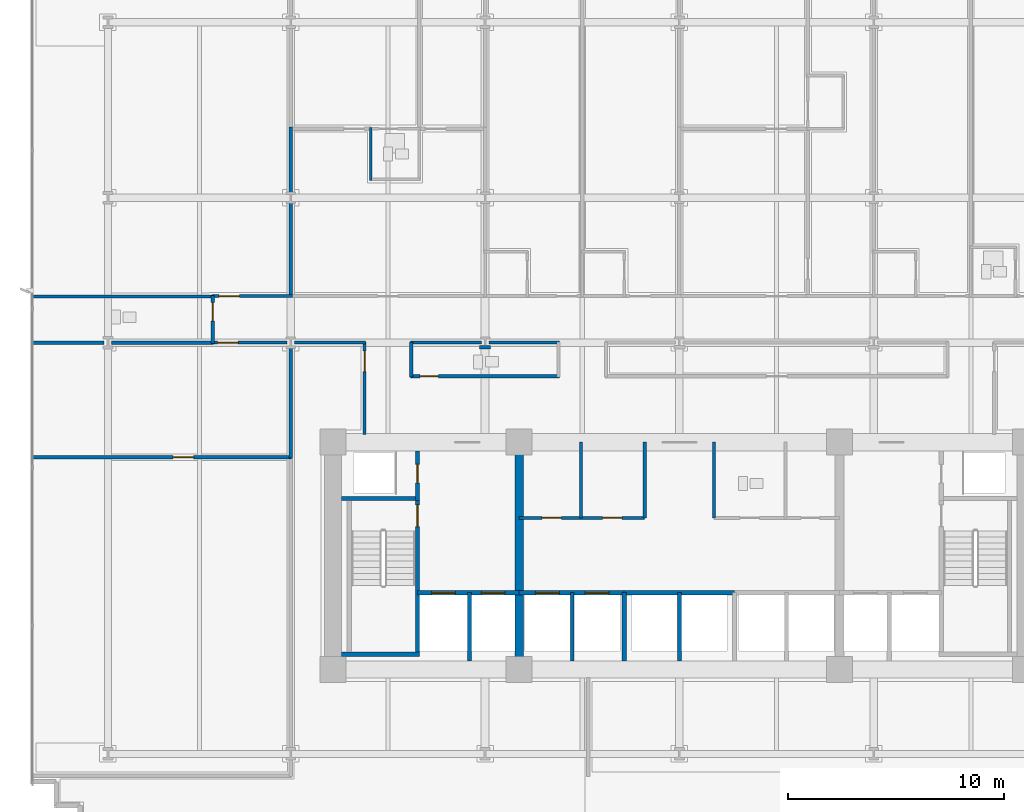
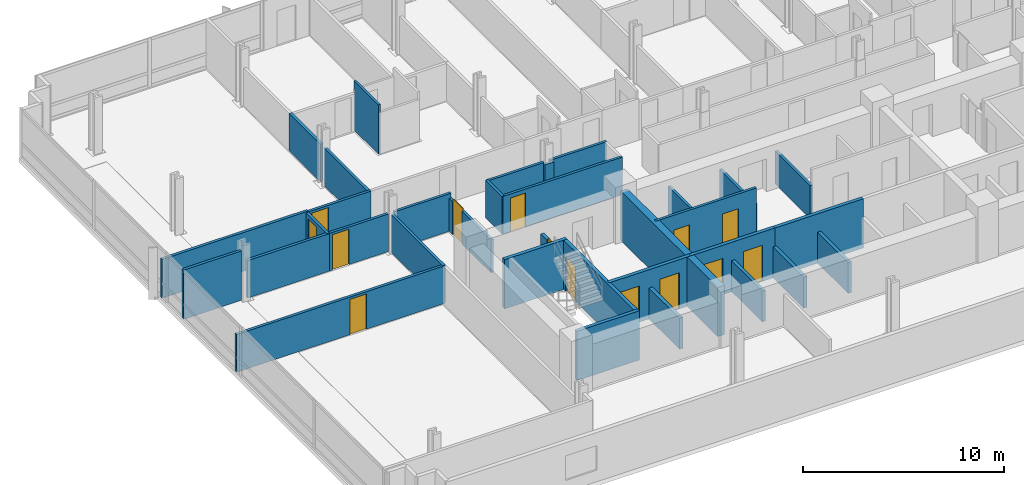
# One storey, part 8 of 15: 34 walls, 14 doors, 14 openings.
"""IFC4 building model written with IfcOpenShell, lengths in metres."""

from ifc_helpers import new_model, si_unit, direction, frame, frame_2d, origin, place, context, subcontext, project, spatial, rectangle, extrude, material, layer, layer_set, type_object, element, fill, save


model = new_model("IFC4")

# Units and contexts
model_context = context("Model", 3, precision=1e-05, world=origin(), true_north=direction((0.0, 1.0)))
body_context = subcontext(model_context, "Body", "Model", "MODEL_VIEW")
ifc_project = project(units=[si_unit("LENGTHUNIT", "METRE"), si_unit("AREAUNIT", "SQUARE_METRE"), si_unit("VOLUMEUNIT", "CUBIC_METRE"), si_unit("PLANEANGLEUNIT", "RADIAN"), si_unit("MASSUNIT", "GRAM", prefix="KILO")], contexts=[model_context])

# Site, building, storey
site_placement = place(None, origin())
site = spatial("IfcSite", under=ifc_project, at=site_placement, CompositionType="ELEMENT")
building_placement = place(site_placement, origin())
building = spatial("IfcBuilding", under=site, at=building_placement, Name="Solmavex Isthmus Hotel", CompositionType="ELEMENT")
storey_placement = place(building_placement, frame((0.0, 0.0, 71.25)))
storey = spatial("IfcBuildingStorey", under=building, at=storey_placement, Name="L19", CompositionType="ELEMENT", Elevation=71.25)

# Walls
ifc_material_1 = material(Name="Gypsum plasterboard lining", Category="gypsum")
ifc_layer_1 = layer(ifc_material_1, 0.159912109375)
ifc_layer_set_1 = layer_set([ifc_layer_1], Name="Gypsum plasterboard lining")
wall_type_1 = type_object("IfcWallType", Name="IW-COMP-160", PredefinedType="PARTITIONING", material=ifc_layer_set_1)
wall_1_placement = place(storey_placement, frame((-17.951904296875, 8.613037109375, 0.0), z_axis=(0.0, 0.0, 1.0), x_axis=(0.0, -1.0, 0.0)))
element("IfcWall", 1, at=wall_1_placement, inside=storey, type_object=wall_type_1, Name="Interior Partition Wall W-L19-P036", PredefinedType="PARTITIONING", context=body_context, shape_type="SweptSolid", body=[
    extrude(rectangle(XDim=4.403076171875, YDim=0.159912109375, at=frame_2d((2.20166015625, 0.0))), origin(), (0.0, 0.0, 1.0), 2.28955078125),
])
wall_2_placement = place(storey_placement, frame((-17.951904296875, 12.070068359375, 0.0), z_axis=(0.0, 0.0, 1.0), x_axis=(0.0, -1.0, 0.0)))
element("IfcWall", 2, at=wall_2_placement, inside=storey, type_object=wall_type_1, Name="Interior Partition Wall W-L19-P037", PredefinedType="PARTITIONING", context=body_context, shape_type="SweptSolid", body=[
    extrude(rectangle(XDim=3.107177734375, YDim=0.159912109375, at=frame_2d((1.5537109375, 0.0))), origin(), (0.0, 0.0, 1.0), 2.28955078125),
])
wall_3_placement = place(storey_placement, frame((-21.511962890625, 4.22998046875, 0.0), z_axis=(0.0, 0.0, 1.0), x_axis=(-1.0, 0.0, 0.0)))
element("IfcWall", 3, at=wall_3_placement, inside=storey, type_object=wall_type_1, Name="Interior Partition Wall W-L19-P040", PredefinedType="PARTITIONING", context=body_context, shape_type="SweptSolid", body=[
    extrude(rectangle(XDim=8.407958984375, YDim=0.159912109375, at=frame_2d((4.2041015625, 0.0))), origin(), (0.0, 0.0, 1.0), 2.36328125),
])
wall_4_placement = place(storey_placement, frame((-26.574951171875, 2.10009765625, 0.0), z_axis=(0.0, 0.0, 1.0), x_axis=(-1.0, 0.0, 0.0)))
element("IfcWall", 4, at=wall_4_placement, inside=storey, type_object=wall_type_1, Name="Interior Partition Wall W-L19-P084", PredefinedType="PARTITIONING", context=body_context, shape_type="SweptSolid", body=[
    extrude(rectangle(XDim=3.344970703125, YDim=0.159912109375, at=frame_2d((1.67236328125, 0.0))), origin(), (0.0, 0.0, 1.0), 3.0),
])
wall_5_placement = place(storey_placement, frame((-21.511962890625, 2.10009765625, 0.0), z_axis=(0.0, 0.0, 1.0), x_axis=(-1.0, 0.0, 0.0)))
element("IfcWall", 5, at=wall_5_placement, inside=storey, type_object=wall_type_1, Name="Interior Partition Wall W-L19-P085", PredefinedType="PARTITIONING", context=body_context, shape_type="SweptSolid", body=[
    extrude(rectangle(XDim=4.713134765625, YDim=0.159912109375, at=frame_2d((2.3564453125, 0.0))), origin(), (0.0, 0.0, 1.0), 2.28955078125),
])
wall_6_placement = place(storey_placement, frame((-17.951904296875, 1.925048828125, 0.0), z_axis=(0.0, 0.0, 1.0), x_axis=(0.0, -1.0, 0.0)))
element("IfcWall", 6, at=wall_6_placement, inside=storey, type_object=wall_type_1, Name="Interior Partition Wall W-L19-P088", PredefinedType="PARTITIONING", context=body_context, shape_type="SweptSolid", body=[
    extrude(rectangle(XDim=5.1650390625, YDim=0.159912109375, at=frame_2d((2.58251953125, 0.0))), origin(), (0.0, 0.0, 1.0), 2.28955078125),
])

# Wall, opening, door
wall_7_placement = place(storey_placement, frame((-17.912109375, -3.199951171875, 0.0), z_axis=(0.0, 0.0, 1.0), x_axis=(-1.0, 0.0, 0.0)))
wall_7 = element("IfcWall", 7, at=wall_7_placement, inside=storey, type_object=wall_type_1, Name="Interior Partition Wall W-L19-P089", PredefinedType="PARTITIONING", context=body_context, shape_type="SweptSolid", body=[
    extrude(rectangle(XDim=12.0078125, YDim=0.159912109375, at=frame_2d((6.00390625, 0.0))), origin(), (0.0, 0.0, 1.0), 2.28955078125),
])
opening_1_placement = place(wall_7_placement, frame((4.527099609375, 0.0, 0.0)))
opening_1 = element("IfcOpeningElement", 8, at=opening_1_placement, cuts=wall_7, Name="Opening ID-C095", PredefinedType="OPENING", context=body_context, shape_type="SweptSolid", body=[
    extrude(rectangle(XDim=0.949951171875, YDim=2.14990234375, at=frame_2d((0.47509765625, 1.074951171875))), frame((0.0, 0.08984375, 0.0), z_axis=(0.0, -1.0, 0.0), x_axis=(1.0, 0.0, 0.0)), (0.0, 0.0, 1.0), 0.179931640625),
])
ifc_material_2 = material(Name="Hardwood timber", Category="wood")
door_type_1 = type_object("IfcDoorType", Name="IDR-FD60-0950", OperationType="NOTDEFINED", PredefinedType="DOOR", material=ifc_material_2)
door_1_placement = place(opening_1_placement, origin())
door_1 = element("IfcDoor", 9, at=door_1_placement, inside=storey, type_object=door_type_1, Name="Corporate Briefing Office Door L19-27", OperationType="SINGLE_SWING_LEFT", OverallHeight=2.14990234375, OverallWidth=0.949951171875, PredefinedType="DOOR", context=body_context, shape_type="SweptSolid", body=[
    extrude(rectangle(XDim=0.949951171875, YDim=2.14990234375, at=frame_2d((0.47509765625, 1.074951171875))), frame((0.0, 0.02490234375, 0.0), z_axis=(0.0, -1.0, 0.0), x_axis=(1.0, 0.0, 0.0)), (0.0, 0.0, 1.0), 0.050048828125),
])
fill(opening_1, door_1)

# Wall, openings, doors
ifc_layer_2 = layer(ifc_material_1, 0.14990234375)
ifc_layer_set_2 = layer_set([ifc_layer_2], Name="Gypsum plasterboard lining")
wall_type_2 = type_object("IfcWallType", Name="IW-CORR-150", PredefinedType="PARTITIONING", material=ifc_layer_set_2)
wall_8_placement = place(storey_placement, frame((-7.39990234375, -6.0, 0.0), z_axis=(0.0, 0.0, 1.0), x_axis=(1.0, 0.0, 0.0)))
wall_8 = element("IfcWall", 10, at=wall_8_placement, inside=storey, type_object=wall_type_2, Name="Interior Partition Wall W-L19-BOH-WS", PredefinedType="PARTITIONING", context=body_context, shape_type="SweptSolid", body=[
    extrude(rectangle(XDim=5.7998046875, YDim=0.14990234375, at=frame_2d((2.89990234375, 0.0))), origin(), (0.0, 0.0, 1.0), 3.0),
])
opening_2_placement = place(wall_8_placement, frame((1.050048828125, 0.0, 0.0)))
opening_2 = element("IfcOpeningElement", 11, at=opening_2_placement, cuts=wall_8, Name="Opening ID-C090", PredefinedType="OPENING", context=body_context, shape_type="SweptSolid", body=[
    extrude(rectangle(XDim=0.89990234375, YDim=2.10009765625, at=frame_2d((0.449951171875, 1.050048828125))), frame((0.0, 0.0849609375, 0.0), z_axis=(0.0, -1.0, 0.0), x_axis=(1.0, 0.0, 0.0)), (0.0, 0.0, 1.0), 0.169921875),
])
opening_3_placement = place(wall_8_placement, frame((3.85009765625, 0.0, 0.0)))
opening_3 = element("IfcOpeningElement", 12, at=opening_3_placement, cuts=wall_8, Name="Opening ID-C090", PredefinedType="OPENING", context=body_context, shape_type="SweptSolid", body=[
    extrude(rectangle(XDim=0.89990234375, YDim=2.10009765625, at=frame_2d((0.449951171875, 1.050048828125))), frame((0.0, 0.0849609375, 0.0), z_axis=(0.0, -1.0, 0.0), x_axis=(1.0, 0.0, 0.0)), (0.0, 0.0, 1.0), 0.169921875),
])
door_type_2 = type_object("IfcDoorType", Name="IDR-FD60-0900", OperationType="NOTDEFINED", PredefinedType="DOOR", material=ifc_material_2)
door_2_placement = place(opening_2_placement, frame((0.89990234375, 0.0, 0.0), z_axis=(0.0, 0.0, 1.0), x_axis=(-1.0, 0.0, 0.0)))
door_2 = element("IfcDoor", 13, at=door_2_placement, inside=storey, type_object=door_type_2, Name="Linen Room Door L19", OperationType="SINGLE_SWING_LEFT", OverallHeight=2.10009765625, OverallWidth=0.89990234375, PredefinedType="DOOR", context=body_context, shape_type="SweptSolid", body=[
    extrude(rectangle(XDim=0.89990234375, YDim=2.10009765625, at=frame_2d((0.449951171875, 1.050048828125))), frame((0.0, 0.02490234375, 0.0), z_axis=(0.0, -1.0, 0.0), x_axis=(1.0, 0.0, 0.0)), (0.0, 0.0, 1.0), 0.050048828125),
])
fill(opening_2, door_2)
door_3_placement = place(opening_3_placement, frame((0.89990234375, 0.0, 0.0), z_axis=(0.0, 0.0, 1.0), x_axis=(-1.0, 0.0, 0.0)))
door_3 = element("IfcDoor", 14, at=door_3_placement, inside=storey, type_object=door_type_2, Name="Ice Pantry Door L19", OperationType="SINGLE_SWING_RIGHT", OverallHeight=2.10009765625, OverallWidth=0.89990234375, PredefinedType="DOOR", context=body_context, shape_type="SweptSolid", body=[
    extrude(rectangle(XDim=0.89990234375, YDim=2.10009765625, at=frame_2d((0.449951171875, 1.050048828125))), frame((0.0, 0.02490234375, 0.0), z_axis=(0.0, -1.0, 0.0), x_axis=(1.0, 0.0, 0.0)), (0.0, 0.0, 1.0), 0.050048828125),
])
fill(opening_3, door_3)

# Walls
for number, where, z_axis, x_axis, name in (
    (15, (-1.60009765625, -6.0, 0.0), (0.0, 0.0, 1.0), (0.0, 1.0, 0.0), "Interior Partition Wall W-L19-BOH-WE"),
    (16, (1.60009765625, -6.0, 0.0), (0.0, 0.0, 1.0), (0.0, 1.0, 0.0), "Interior Partition Wall W-L19-BOH-EW"),
):
    element("IfcWall", number, at=place(storey_placement, frame(where, z_axis=z_axis, x_axis=x_axis)), inside=storey, type_object=wall_type_2, Name=name, PredefinedType="PARTITIONING", context=body_context, shape_type="SweptSolid", body=[
        extrude(rectangle(XDim=3.5, YDim=0.14990234375, at=frame_2d((1.75, 0.0))), origin(), (0.0, 0.0, 1.0), 1.9951171875),
    ])

# Wall, opening, door
wall_9_placement = place(storey_placement, frame((-21.592041015625, 4.25, 0.0), z_axis=(0.0, 0.0, 1.0), x_axis=(1.0, 0.0, 0.0)))
wall_9 = element("IfcWall", 17, at=wall_9_placement, inside=storey, type_object=wall_type_2, Name="Interior Partition Wall W-L19-P001", PredefinedType="PARTITIONING", context=body_context, shape_type="SweptSolid", body=[
    extrude(rectangle(XDim=3.721923828125, YDim=0.14990234375, at=frame_2d((1.86083984375, 0.0))), origin(), (0.0, 0.0, 1.0), 2.28955078125),
])
opening_4_placement = place(wall_9_placement, frame((0.315185546875, 0.0, 0.0)))
opening_4 = element("IfcOpeningElement", 18, at=opening_4_placement, cuts=wall_9, Name="Opening ID-C095", PredefinedType="OPENING", context=body_context, shape_type="SweptSolid", body=[
    extrude(rectangle(XDim=0.949951171875, YDim=2.14990234375, at=frame_2d((0.47509765625, 1.074951171875))), frame((0.0, 0.0849609375, 0.0), z_axis=(0.0, -1.0, 0.0), x_axis=(1.0, 0.0, 0.0)), (0.0, 0.0, 1.0), 0.169921875),
])
door_4_placement = place(opening_4_placement, origin())
door_4 = element("IfcDoor", 19, at=door_4_placement, inside=storey, type_object=door_type_1, Name="Corporate Briefing Office Door L19-01", OperationType="SINGLE_SWING_LEFT", OverallHeight=2.14990234375, OverallWidth=0.949951171875, PredefinedType="DOOR", context=body_context, shape_type="SweptSolid", body=[
    extrude(rectangle(XDim=0.949951171875, YDim=2.14990234375, at=frame_2d((0.47509765625, 1.074951171875))), frame((0.0, 0.02490234375, 0.0), z_axis=(0.0, -1.0, 0.0), x_axis=(1.0, 0.0, 0.0)), (0.0, 0.0, 1.0), 0.050048828125),
])
fill(opening_4, door_4)

# Walls
wall_10_placement = place(storey_placement, frame((-8.720947265625, 1.885009765625, 0.0), z_axis=(0.0, 0.0, 1.0), x_axis=(-1.0, 0.0, 0.0)))
element("IfcWall", 20, at=wall_10_placement, inside=storey, type_object=wall_type_2, Name="Interior Partition Wall W-L19-P014", PredefinedType="PARTITIONING", context=body_context, shape_type="SweptSolid", body=[
    extrude(rectangle(XDim=0.510009765625, YDim=0.14990234375, at=frame_2d((0.2548828125, 0.0))), origin(), (0.0, 0.0, 1.0), 2.28955078125),
])
wall_11_placement = place(storey_placement, frame((-9.15087890625, 2.10009765625, 0.0), z_axis=(0.0, 0.0, 1.0), x_axis=(-1.0, 0.0, 0.0)))
element("IfcWall", 21, at=wall_11_placement, inside=storey, type_object=wall_type_2, Name="Interior Partition Wall W-L19-P015", PredefinedType="PARTITIONING", context=body_context, shape_type="SweptSolid", body=[
    extrude(rectangle(XDim=3.273193359375, YDim=0.14990234375, at=frame_2d((1.63671875, 0.0))), origin(), (0.0, 0.0, 1.0), 2.28955078125),
])
wall_12_placement = place(storey_placement, frame((-12.384033203125, 2.139892578125, 0.0), z_axis=(0.0, 0.0, 1.0), x_axis=(0.0, -1.0, 0.0)))
element("IfcWall", 22, at=wall_12_placement, inside=storey, type_object=wall_type_2, Name="Interior Partition Wall W-L19-P016", PredefinedType="PARTITIONING", context=body_context, shape_type="SweptSolid", body=[
    extrude(rectangle(XDim=1.6298828125, YDim=0.14990234375, at=frame_2d((0.81494140625, 0.0))), origin(), (0.0, 0.0, 1.0), 2.28955078125),
])

# Wall, opening, door
wall_13_placement = place(storey_placement, frame((-12.424072265625, 0.550048828125, 0.0), z_axis=(0.0, 0.0, 1.0), x_axis=(1.0, 0.0, 0.0)))
wall_13 = element("IfcWall", 23, at=wall_13_placement, inside=storey, type_object=wall_type_2, Name="Interior Partition Wall W-L19-P017", PredefinedType="PARTITIONING", context=body_context, shape_type="SweptSolid", body=[
    extrude(rectangle(XDim=6.8759765625, YDim=0.14990234375, at=frame_2d((3.43798828125, 0.0))), origin(), (0.0, 0.0, 1.0), 2.28955078125),
])
opening_5_placement = place(wall_13_placement, frame((0.444091796875, 0.0, 0.0)))
opening_5 = element("IfcOpeningElement", 24, at=opening_5_placement, cuts=wall_13, Name="Opening ID-R085", PredefinedType="OPENING", context=body_context, shape_type="SweptSolid", body=[
    extrude(rectangle(XDim=0.85009765625, YDim=2.050048828125, at=frame_2d((0.425048828125, 1.02490234375))), frame((0.0, 0.0849609375, 0.0), z_axis=(0.0, -1.0, 0.0), x_axis=(1.0, 0.0, 0.0)), (0.0, 0.0, 1.0), 0.169921875),
])
ifc_material_3 = material(Name="Steel ASTM A500 Grade C", Category="steel")
door_type_3 = type_object("IfcDoorType", Name="IDR-FD60-0850", OperationType="NOTDEFINED", PredefinedType="DOOR", material=ifc_material_3)
door_5_placement = place(opening_5_placement, frame((0.85009765625, 0.0, 0.0), z_axis=(0.0, 0.0, 1.0), x_axis=(-1.0, 0.0, 0.0)))
door_5 = element("IfcDoor", 25, at=door_5_placement, inside=storey, type_object=door_type_3, Name="Accessible Public Restroom WC Door L19-19", OperationType="SINGLE_SWING_LEFT", OverallHeight=2.050048828125, OverallWidth=0.85009765625, PredefinedType="DOOR", context=body_context, shape_type="SweptSolid", body=[
    extrude(rectangle(XDim=0.85009765625, YDim=2.050048828125, at=frame_2d((0.425048828125, 1.02490234375))), frame((0.0, 0.02490234375, 0.0), z_axis=(0.0, -1.0, 0.0), x_axis=(1.0, 0.0, 0.0)), (0.0, 0.0, 1.0), 0.050048828125),
])
fill(opening_5, door_5)

# Wall
wall_14_placement = place(storey_placement, frame((-5.548095703125, 2.10009765625, 0.0), z_axis=(0.0, 0.0, 1.0), x_axis=(-1.0, 0.0, 0.0)))
element("IfcWall", 26, at=wall_14_placement, inside=storey, type_object=wall_type_2, Name="Interior Partition Wall W-L19-P019", PredefinedType="PARTITIONING", context=body_context, shape_type="SweptSolid", body=[
    extrude(rectangle(XDim=3.2529296875, YDim=0.14990234375, at=frame_2d((1.62646484375, 0.0))), origin(), (0.0, 0.0, 1.0), 2.28955078125),
])

# Wall, opening, door
wall_15_placement = place(storey_placement, frame((-21.552001953125, 2.06005859375, 0.0), z_axis=(0.0, 0.0, 1.0), x_axis=(0.0, 1.0, 0.0)))
wall_15 = element("IfcWall", 27, at=wall_15_placement, inside=storey, type_object=wall_type_2, Name="Interior Partition Wall W-L19-P020", PredefinedType="PARTITIONING", context=body_context, shape_type="SweptSolid", body=[
    extrude(rectangle(XDim=2.2099609375, YDim=0.14990234375, at=frame_2d((1.10498046875, 0.0))), origin(), (0.0, 0.0, 1.0), 2.28955078125),
])
opening_6_placement = place(wall_15_placement, frame((1.037841796875, 0.0, 0.0)))
opening_6 = element("IfcOpeningElement", 28, at=opening_6_placement, cuts=wall_15, Name="Opening ID-R085", PredefinedType="OPENING", context=body_context, shape_type="SweptSolid", body=[
    extrude(rectangle(XDim=0.85009765625, YDim=2.050048828125, at=frame_2d((0.425048828125, 1.02490234375))), frame((0.0, 0.0849609375, 0.0), z_axis=(0.0, -1.0, 0.0), x_axis=(1.0, 0.0, 0.0)), (0.0, 0.0, 1.0), 0.169921875),
])
door_6_placement = place(opening_6_placement, origin())
door_6 = element("IfcDoor", 29, at=door_6_placement, inside=storey, type_object=door_type_3, Name="Public Restroom WC Door L19-20", OperationType="SINGLE_SWING_RIGHT", OverallHeight=2.050048828125, OverallWidth=0.85009765625, PredefinedType="DOOR", context=body_context, shape_type="SweptSolid", body=[
    extrude(rectangle(XDim=0.85009765625, YDim=2.050048828125, at=frame_2d((0.425048828125, 1.02490234375))), frame((0.0, 0.02490234375, 0.0), z_axis=(0.0, -1.0, 0.0), x_axis=(1.0, 0.0, 0.0)), (0.0, 0.0, 1.0), 0.050048828125),
])
fill(opening_6, door_6)

wall_16_placement = place(storey_placement, frame((-18.126953125, 2.10009765625, 0.0), z_axis=(0.0, 0.0, 1.0), x_axis=(-1.0, 0.0, 0.0)))
wall_16 = element("IfcWall", 30, at=wall_16_placement, inside=storey, type_object=wall_type_2, Name="Interior Partition Wall W-L19-P030", PredefinedType="PARTITIONING", context=body_context, shape_type="SweptSolid", body=[
    extrude(rectangle(XDim=3.465087890625, YDim=0.14990234375, at=frame_2d((1.732421875, 0.0))), origin(), (0.0, 0.0, 1.0), 2.28955078125),
])
opening_7_placement = place(wall_16_placement, frame((2.252685546875, 0.0, 0.0)))
opening_7 = element("IfcOpeningElement", 31, at=opening_7_placement, cuts=wall_16, Name="Opening ID-C095", PredefinedType="OPENING", context=body_context, shape_type="SweptSolid", body=[
    extrude(rectangle(XDim=0.949951171875, YDim=2.14990234375, at=frame_2d((0.47509765625, 1.074951171875))), frame((0.0, 0.0849609375, 0.0), z_axis=(0.0, -1.0, 0.0), x_axis=(1.0, 0.0, 0.0)), (0.0, 0.0, 1.0), 0.169921875),
])
door_7_placement = place(opening_7_placement, origin())
door_7 = element("IfcDoor", 32, at=door_7_placement, inside=storey, type_object=door_type_1, Name="Yoga Fitness Studio Door L19-23", OperationType="SINGLE_SWING_LEFT", OverallHeight=2.14990234375, OverallWidth=0.949951171875, PredefinedType="DOOR", context=body_context, shape_type="SweptSolid", body=[
    extrude(rectangle(XDim=0.949951171875, YDim=2.14990234375, at=frame_2d((0.47509765625, 1.074951171875))), frame((0.0, 0.02490234375, 0.0), z_axis=(0.0, -1.0, 0.0), x_axis=(1.0, 0.0, 0.0)), (0.0, 0.0, 1.0), 0.050048828125),
])
fill(opening_7, door_7)

wall_17_placement = place(storey_placement, frame((-14.5439453125, -2.139892578125, 0.0), z_axis=(0.0, 0.0, 1.0), x_axis=(0.0, 1.0, 0.0)))
wall_17 = element("IfcWall", 33, at=wall_17_placement, inside=storey, type_object=wall_type_2, Name="Interior Partition Wall W-L19-P034", PredefinedType="PARTITIONING", context=body_context, shape_type="SweptSolid", body=[
    extrude(rectangle(XDim=4.27978515625, YDim=0.14990234375, at=frame_2d((2.139892578125, 0.0))), origin(), (0.0, 0.0, 1.0), 1.9951171875),
])
opening_8_placement = place(wall_17_placement, frame((2.89990234375, 0.0, 0.0)))
opening_8 = element("IfcOpeningElement", 34, at=opening_8_placement, cuts=wall_17, Name="Opening ID-C095", PredefinedType="OPENING", context=body_context, shape_type="SweptSolid", body=[
    extrude(rectangle(XDim=0.949951171875, YDim=2.14990234375, at=frame_2d((0.47509765625, 1.074951171875))), frame((0.0, 0.0849609375, 0.0), z_axis=(0.0, -1.0, 0.0), x_axis=(1.0, 0.0, 0.0)), (0.0, 0.0, 1.0), 0.169921875),
])
door_8_placement = place(opening_8_placement, frame((0.949951171875, 0.0, 0.0), z_axis=(0.0, 0.0, 1.0), x_axis=(-1.0, 0.0, 0.0)))
door_8 = element("IfcDoor", 35, at=door_8_placement, inside=storey, type_object=door_type_1, Name="Corporate Briefing Office Door L19-26", OperationType="SINGLE_SWING_RIGHT", OverallHeight=2.14990234375, OverallWidth=0.949951171875, PredefinedType="DOOR", context=body_context, shape_type="SweptSolid", body=[
    extrude(rectangle(XDim=0.949951171875, YDim=2.14990234375, at=frame_2d((0.47509765625, 1.074951171875))), frame((0.0, 0.02490234375, 0.0), z_axis=(0.0, -1.0, 0.0), x_axis=(1.0, 0.0, 0.0)), (0.0, 0.0, 1.0), 0.050048828125),
])
fill(opening_8, door_8)

# Walls
wall_18_placement = place(storey_placement, frame((-14.50390625, 2.10009765625, 0.0), z_axis=(0.0, 0.0, 1.0), x_axis=(-1.0, 0.0, 0.0)))
element("IfcWall", 36, at=wall_18_placement, inside=storey, type_object=wall_type_2, Name="Interior Partition Wall W-L19-P035", PredefinedType="PARTITIONING", context=body_context, shape_type="SweptSolid", body=[
    extrude(rectangle(XDim=3.273193359375, YDim=0.14990234375, at=frame_2d((1.63671875, 0.0))), origin(), (0.0, 0.0, 1.0), 2.28955078125),
])
ifc_layer_3 = layer(ifc_material_1, 0.1201171875)
ifc_layer_set_3 = layer_set([ifc_layer_3], Name="Gypsum plasterboard lining")
wall_type_3 = type_object("IfcWallType", Name="IW-PART-120", PredefinedType="PARTITIONING", material=ifc_layer_set_3)
wall_19_placement = place(storey_placement, frame((-4.550048828125, -6.0, 0.0), z_axis=(0.0, 0.0, 1.0), x_axis=(0.0, 1.0, 0.0)))
element("IfcWall", 37, at=wall_19_placement, inside=storey, type_object=wall_type_3, Name="Interior Partition Wall W-L19-BOH-WM2", PredefinedType="PARTITIONING", context=body_context, shape_type="SweptSolid", body=[
    extrude(rectangle(XDim=3.5, YDim=0.14990234375, at=frame_2d((1.75, 0.0))), origin(), (0.0, 0.0, 1.0), 1.9951171875),
])
wall_20_placement = place(storey_placement, frame((-14.263916015625, 12.028076171875, 0.0), z_axis=(0.0, 0.0, 1.0), x_axis=(0.0, -1.0, 0.0)))
element("IfcWall", 38, at=wall_20_placement, inside=storey, type_object=wall_type_3, Name="Interior Partition Wall W-L19-P043", PredefinedType="PARTITIONING", context=body_context, shape_type="SweptSolid", body=[
    extrude(rectangle(XDim=2.43017578125, YDim=0.1201171875, at=frame_2d((1.215087890625, 0.0))), origin(), (0.0, 0.0, 1.0), 3.0),
])
ifc_material_4 = material(Name="Concrete C40/50", Category="concrete")
ifc_layer_4 = layer(ifc_material_4, 0.179931640625)
ifc_layer_set_4 = layer_set([ifc_layer_4], Name="Concrete C40/50")
wall_type_4 = type_object("IfcWallType", Name="IW-SHAFT-180", PredefinedType="PARTITIONING", material=ifc_layer_set_4)
for number, where, z_axis, x_axis, name in (
    (39, (-4.949951171875, -12.60009765625, 0.0), (0.0, 0.0, 1.0), (0.0, 1.0, 0.0), "Interior Partition Wall W-L19-SH-PLL-M"),
    (40, (0.0, -12.60009765625, 0.0), (0.0, 0.0, 1.0), (0.0, 1.0, 0.0), "Interior Partition Wall W-L19-SH-PLM-M"),
):
    element("IfcWall", number, at=place(storey_placement, frame(where, z_axis=z_axis, x_axis=x_axis)), inside=storey, type_object=wall_type_4, Name=name, PredefinedType="PARTITIONING", context=body_context, shape_type="SweptSolid", body=[
        extrude(rectangle(XDim=3.150146484375, YDim=0.179931640625, at=frame_2d((1.5751953125, 0.0))), origin(), (0.0, 0.0, 1.0), 1.885009765625),
    ])

# Wall, opening, door
ifc_layer_5 = layer(ifc_material_4, 0.199951171875)
ifc_layer_set_5 = layer_set([ifc_layer_5], Name="Concrete C40/50")
wall_type_5 = type_object("IfcWallType", Name="IW-SHAFT-200", PredefinedType="PARTITIONING", material=ifc_layer_set_5)
wall_21_placement = place(storey_placement, frame((-12.10009765625, -5.199951171875, 0.0), z_axis=(0.0, 0.0, 1.0), x_axis=(0.0, 1.0, 0.0)))
wall_21 = element("IfcWall", 41, at=wall_21_placement, inside=storey, type_object=wall_type_5, Name="Interior Partition Wall W-L19-RSW-E", PredefinedType="PARTITIONING", context=body_context, shape_type="SweptSolid", body=[
    extrude(rectangle(XDim=2.300048828125, YDim=0.199951171875, at=frame_2d((1.14990234375, 0.0))), origin(), (0.0, 0.0, 1.0), 1.9951171875),
])
opening_9_placement = place(wall_21_placement, frame((0.824951171875, 0.0, 0.0)))
opening_9 = element("IfcOpeningElement", 42, at=opening_9_placement, cuts=wall_21, Name="Opening ID-R085", PredefinedType="OPENING", context=body_context, shape_type="SweptSolid", body=[
    extrude(rectangle(XDim=0.85009765625, YDim=2.050048828125, at=frame_2d((0.425048828125, 1.02490234375))), frame((0.0, 0.10986328125, 0.0), z_axis=(0.0, -1.0, 0.0), x_axis=(1.0, 0.0, 0.0)), (0.0, 0.0, 1.0), 0.219970703125),
])
door_9_placement = place(opening_9_placement, origin())
door_9 = element("IfcDoor", 43, at=door_9_placement, inside=storey, type_object=door_type_3, Name="Electrical Riser Door L19", OperationType="SINGLE_SWING_RIGHT", OverallHeight=2.050048828125, OverallWidth=0.85009765625, PredefinedType="DOOR", context=body_context, shape_type="SweptSolid", body=[
    extrude(rectangle(XDim=0.85009765625, YDim=2.050048828125, at=frame_2d((0.425048828125, 1.02490234375))), frame((0.0, 0.02490234375, 0.0), z_axis=(0.0, -1.0, 0.0), x_axis=(1.0, 0.0, 0.0)), (0.0, 0.0, 1.0), 0.050048828125),
])
fill(opening_9, door_9)

# Wall, openings, doors
wall_22_placement = place(storey_placement, frame((-12.10009765625, -9.449951171875, 0.0), z_axis=(0.0, 0.0, 1.0), x_axis=(1.0, 0.0, 0.0)))
wall_22 = element("IfcWall", 44, at=wall_22_placement, inside=storey, type_object=wall_type_5, Name="Interior Partition Wall W-L19-FFLW-S", PredefinedType="PARTITIONING", context=body_context, shape_type="SweptSolid", body=[
    extrude(rectangle(XDim=4.7001953125, YDim=0.199951171875, at=frame_2d((2.35009765625, 0.0))), origin(), (0.0, 0.0, 1.0), 3.0),
])
opening_10_placement = place(wall_22_placement, frame((0.64990234375, 0.0, 0.0)))
opening_10 = element("IfcOpeningElement", 45, at=opening_10_placement, cuts=wall_22, Name="Opening LD-FF", PredefinedType="OPENING", context=body_context, shape_type="SweptSolid", body=[
    extrude(rectangle(XDim=1.10009765625, YDim=2.199951171875, at=frame_2d((0.550048828125, 1.10009765625))), frame((0.0, 0.10986328125, 0.0), z_axis=(0.0, -1.0, 0.0), x_axis=(1.0, 0.0, 0.0)), (0.0, 0.0, 1.0), 0.219970703125),
])
opening_11_placement = place(wall_22_placement, frame((2.949951171875, 0.0, 0.0)))
opening_11 = element("IfcOpeningElement", 46, at=opening_11_placement, cuts=wall_22, Name="Opening LD-SV", PredefinedType="OPENING", context=body_context, shape_type="SweptSolid", body=[
    extrude(rectangle(XDim=1.10009765625, YDim=2.199951171875, at=frame_2d((0.550048828125, 1.10009765625))), frame((0.0, 0.10986328125, 0.0), z_axis=(0.0, -1.0, 0.0), x_axis=(1.0, 0.0, 0.0)), (0.0, 0.0, 1.0), 0.219970703125),
])
ifc_material_5 = material(Name="Stainless steel 316", Category="steel")
door_type_4 = type_object("IfcDoorType", Name="LDR-FF-1100", OperationType="NOTDEFINED", PredefinedType="DOOR", material=ifc_material_5)
door_10_placement = place(opening_10_placement, origin())
door_10 = element("IfcDoor", 47, at=door_10_placement, inside=storey, type_object=door_type_4, Name="Lift Landing Door FFL-1 L19", OperationType="SLIDING_TO_LEFT", OverallHeight=2.199951171875, OverallWidth=1.10009765625, PredefinedType="DOOR", context=body_context, shape_type="SweptSolid", body=[
    extrude(rectangle(XDim=1.10009765625, YDim=2.199951171875, at=frame_2d((0.550048828125, 1.10009765625))), frame((0.0, 0.02490234375, 0.0), z_axis=(0.0, -1.0, 0.0), x_axis=(1.0, 0.0, 0.0)), (0.0, 0.0, 1.0), 0.050048828125),
])
fill(opening_10, door_10)
door_type_5 = type_object("IfcDoorType", Name="LDR-SV-1100", OperationType="NOTDEFINED", PredefinedType="DOOR", material=ifc_material_5)
door_11_placement = place(opening_11_placement, origin())
door_11 = element("IfcDoor", 48, at=door_11_placement, inside=storey, type_object=door_type_5, Name="Lift Landing Door SVL-1 L19", OperationType="SLIDING_TO_RIGHT", OverallHeight=2.199951171875, OverallWidth=1.10009765625, PredefinedType="DOOR", context=body_context, shape_type="SweptSolid", body=[
    extrude(rectangle(XDim=1.10009765625, YDim=2.199951171875, at=frame_2d((0.550048828125, 1.10009765625))), frame((0.0, 0.02490234375, 0.0), z_axis=(0.0, -1.0, 0.0), x_axis=(1.0, 0.0, 0.0)), (0.0, 0.0, 1.0), 0.050048828125),
])
fill(opening_11, door_11)

# Wall
wall_23_placement = place(storey_placement, frame((-9.699951171875, -12.60009765625, 0.0), z_axis=(0.0, 0.0, 1.0), x_axis=(0.0, 1.0, 0.0)))
element("IfcWall", 49, at=wall_23_placement, inside=storey, type_object=wall_type_5, Name="Interior Partition Wall W-L19-FFLW-M", PredefinedType="PARTITIONING", context=body_context, shape_type="SweptSolid", body=[
    extrude(rectangle(XDim=3.150146484375, YDim=0.199951171875, at=frame_2d((1.5751953125, 0.0))), origin(), (0.0, 0.0, 1.0), 1.885009765625),
])

# Wall, openings, doors
wall_24_placement = place(storey_placement, frame((-7.39990234375, -9.449951171875, 0.0), z_axis=(0.0, 0.0, 1.0), x_axis=(1.0, 0.0, 0.0)))
wall_24 = element("IfcWall", 50, at=wall_24_placement, inside=storey, type_object=wall_type_5, Name="Interior Partition Wall W-L19-SH-PLL", PredefinedType="PARTITIONING", context=body_context, shape_type="SweptSolid", body=[
    extrude(rectangle(XDim=4.849853515625, YDim=0.199951171875, at=frame_2d((2.4248046875, 0.0))), origin(), (0.0, 0.0, 1.0), 3.0),
])
opening_12_placement = place(wall_24_placement, frame((0.75, 0.0, 0.0)))
opening_12 = element("IfcOpeningElement", 51, at=opening_12_placement, cuts=wall_24, Name="Opening LD-PL", PredefinedType="OPENING", context=body_context, shape_type="SweptSolid", body=[
    extrude(rectangle(XDim=1.10009765625, YDim=2.199951171875, at=frame_2d((0.550048828125, 1.10009765625))), frame((0.0, 0.10986328125, 0.0), z_axis=(0.0, -1.0, 0.0), x_axis=(1.0, 0.0, 0.0)), (0.0, 0.0, 1.0), 0.219970703125),
])
opening_13_placement = place(wall_24_placement, frame((3.050048828125, 0.0, 0.0)))
opening_13 = element("IfcOpeningElement", 52, at=opening_13_placement, cuts=wall_24, Name="Opening LD-PL", PredefinedType="OPENING", context=body_context, shape_type="SweptSolid", body=[
    extrude(rectangle(XDim=1.10009765625, YDim=2.199951171875, at=frame_2d((0.550048828125, 1.10009765625))), frame((0.0, 0.10986328125, 0.0), z_axis=(0.0, -1.0, 0.0), x_axis=(1.0, 0.0, 0.0)), (0.0, 0.0, 1.0), 0.219970703125),
])
door_type_6 = type_object("IfcDoorType", Name="LDR-PL-1100", OperationType="NOTDEFINED", PredefinedType="DOOR", material=ifc_material_5)
door_12_placement = place(opening_12_placement, origin())
door_12 = element("IfcDoor", 53, at=door_12_placement, inside=storey, type_object=door_type_6, Name="Lift Landing Door PLL1 L19", OperationType="SLIDING_TO_LEFT", OverallHeight=2.199951171875, OverallWidth=1.10009765625, PredefinedType="DOOR", context=body_context, shape_type="SweptSolid", body=[
    extrude(rectangle(XDim=1.10009765625, YDim=2.199951171875, at=frame_2d((0.550048828125, 1.10009765625))), frame((0.0, 0.02490234375, 0.0), z_axis=(0.0, -1.0, 0.0), x_axis=(1.0, 0.0, 0.0)), (0.0, 0.0, 1.0), 0.050048828125),
])
fill(opening_12, door_12)
door_13_placement = place(opening_13_placement, origin())
door_13 = element("IfcDoor", 54, at=door_13_placement, inside=storey, type_object=door_type_6, Name="Lift Landing Door PLL2 L19", OperationType="SLIDING_TO_LEFT", OverallHeight=2.199951171875, OverallWidth=1.10009765625, PredefinedType="DOOR", context=body_context, shape_type="SweptSolid", body=[
    extrude(rectangle(XDim=1.10009765625, YDim=2.199951171875, at=frame_2d((0.550048828125, 1.10009765625))), frame((0.0, 0.02490234375, 0.0), z_axis=(0.0, -1.0, 0.0), x_axis=(1.0, 0.0, 0.0)), (0.0, 0.0, 1.0), 0.050048828125),
])
fill(opening_13, door_13)

# Walls
wall_25_placement = place(storey_placement, frame((-2.550048828125, -12.60009765625, 0.0), z_axis=(0.0, 0.0, 1.0), x_axis=(0.0, 1.0, 0.0)))
element("IfcWall", 55, at=wall_25_placement, inside=storey, type_object=wall_type_5, Name="Interior Partition Wall W-L19-SH-PLL-E", PredefinedType="PARTITIONING", context=body_context, shape_type="SweptSolid", body=[
    extrude(rectangle(XDim=3.150146484375, YDim=0.199951171875, at=frame_2d((1.5751953125, 0.0))), origin(), (0.0, 0.0, 1.0), 1.885009765625),
])
wall_26_placement = place(storey_placement, frame((-2.550048828125, -9.449951171875, 0.0), z_axis=(0.0, 0.0, 1.0), x_axis=(1.0, 0.0, 0.0)))
element("IfcWall", 56, at=wall_26_placement, inside=storey, type_object=wall_type_5, Name="Interior Partition Wall W-L19-SH-PLM", PredefinedType="PARTITIONING", context=body_context, shape_type="SweptSolid", body=[
    extrude(rectangle(XDim=5.10009765625, YDim=0.199951171875, at=frame_2d((2.550048828125, 0.0))), origin(), (0.0, 0.0, 1.0), 3.0),
])
ifc_material_6 = material(Name="Concrete C70/85", Category="concrete")
ifc_layer_6 = layer(ifc_material_6, 0.39990234375)
ifc_layer_set_6 = layer_set([ifc_layer_6], Name="Concrete C70/85")
wall_type_6 = type_object("IfcWallType", Name="WALL-CW-400L", PredefinedType="SHEAR", material=ifc_layer_set_6)
wall_27_placement = place(storey_placement, frame((-7.39990234375, -12.60009765625, 0.0), z_axis=(0.0, 0.0, 1.0), x_axis=(0.0, 1.0, 0.0)))
element("IfcWall", 57, at=wall_27_placement, inside=storey, type_object=wall_type_6, Name="Core Cross Shear Wall C1 L19", PredefinedType="SHEAR", context=body_context, shape_type="SweptSolid", body=[
    extrude(rectangle(XDim=9.7001953125, YDim=0.39990234375, at=frame_2d((4.85009765625, 0.0))), origin(), (0.0, 0.0, 1.0), 3.0),
])
ifc_layer_7 = layer(ifc_material_4, 0.199951171875)
ifc_layer_set_7 = layer_set([ifc_layer_7], Name="Concrete C40/50")
wall_type_7 = type_object("IfcWallType", Name="WALL-SW-200", PredefinedType="SOLIDWALL", material=ifc_layer_set_7)
for number, where, z_axis, x_axis, name in (
    (58, (-15.60009765625, -12.300048828125, 0.0), (0.0, 0.0, 1.0), (1.0, 0.0, 0.0), "Stairwell Structural Wall SW-L19-ST1-S"),
    (59, (-15.60009765625, -5.10009765625, 0.0), (0.0, 0.0, 1.0), (1.0, 0.0, 0.0), "Stairwell Structural Wall SW-L19-ST1-N"),
):
    element("IfcWall", number, at=place(storey_placement, frame(where, z_axis=z_axis, x_axis=x_axis)), inside=storey, type_object=wall_type_7, Name=name, PredefinedType="SOLIDWALL", context=body_context, shape_type="SweptSolid", body=[
        extrude(rectangle(XDim=3.60009765625, YDim=0.199951171875, at=frame_2d((1.800048828125, 0.0))), origin(), (0.0, 0.0, 1.0), 3.0),
    ])

# Wall, opening, door
wall_28_placement = place(storey_placement, frame((-12.10009765625, -12.199951171875, 0.0), z_axis=(0.0, 0.0, 1.0), x_axis=(0.0, 1.0, 0.0)))
wall_28 = element("IfcWall", 60, at=wall_28_placement, inside=storey, type_object=wall_type_7, Name="Stairwell Structural Wall SW-L19-ST1-E", PredefinedType="SOLIDWALL", context=body_context, shape_type="SweptSolid", body=[
    extrude(rectangle(XDim=7.0, YDim=0.199951171875, at=frame_2d((3.5, 0.0))), origin(), (0.0, 0.0, 1.0), 3.0),
])
opening_14_placement = place(wall_28_placement, frame((5.800048828125, 0.0, 0.0)))
opening_14 = element("IfcOpeningElement", 61, at=opening_14_placement, cuts=wall_28, Name="Opening ID-F100", PredefinedType="OPENING", context=body_context, shape_type="SweptSolid", body=[
    extrude(rectangle(XDim=1.0, YDim=2.10009765625, at=frame_2d((0.5, 1.050048828125))), frame((0.0, 0.10986328125, 0.0), z_axis=(0.0, -1.0, 0.0), x_axis=(1.0, 0.0, 0.0)), (0.0, 0.0, 1.0), 0.219970703125),
])
door_type_7 = type_object("IfcDoorType", Name="IDR-FD90-1000", OperationType="NOTDEFINED", PredefinedType="DOOR", material=ifc_material_3)
door_14_placement = place(opening_14_placement, frame((1.0, 0.0, 0.0), z_axis=(0.0, 0.0, 1.0), x_axis=(-1.0, 0.0, 0.0)))
door_14 = element("IfcDoor", 62, at=door_14_placement, inside=storey, type_object=door_type_7, Name="Stair ST-1 Fire Door L19", OperationType="SINGLE_SWING_LEFT", OverallHeight=2.10009765625, OverallWidth=1.0, PredefinedType="DOOR", context=body_context, shape_type="SweptSolid", body=[
    extrude(rectangle(XDim=1.0, YDim=2.10009765625, at=frame_2d((0.5, 1.050048828125))), frame((0.0, 0.02490234375, 0.0), z_axis=(0.0, -1.0, 0.0), x_axis=(1.0, 0.0, 0.0)), (0.0, 0.0, 1.0), 0.050048828125),
])
fill(opening_14, door_14)

save(model, "model.ifc")
